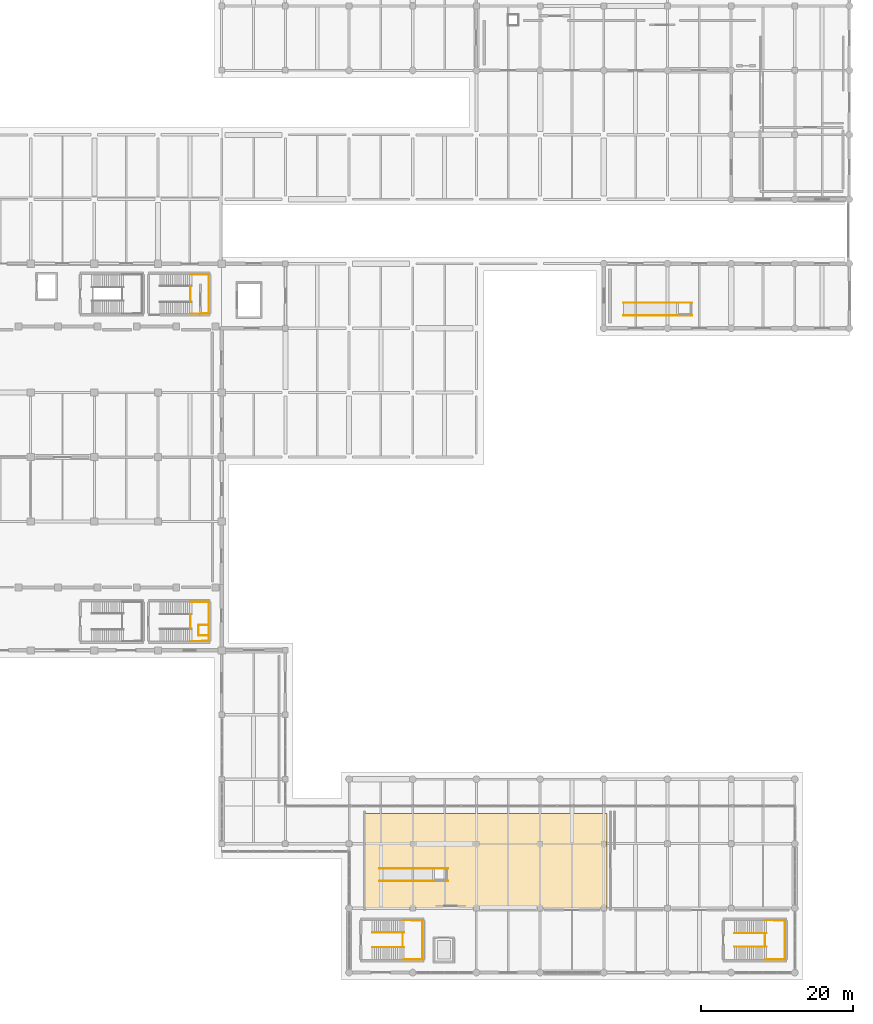
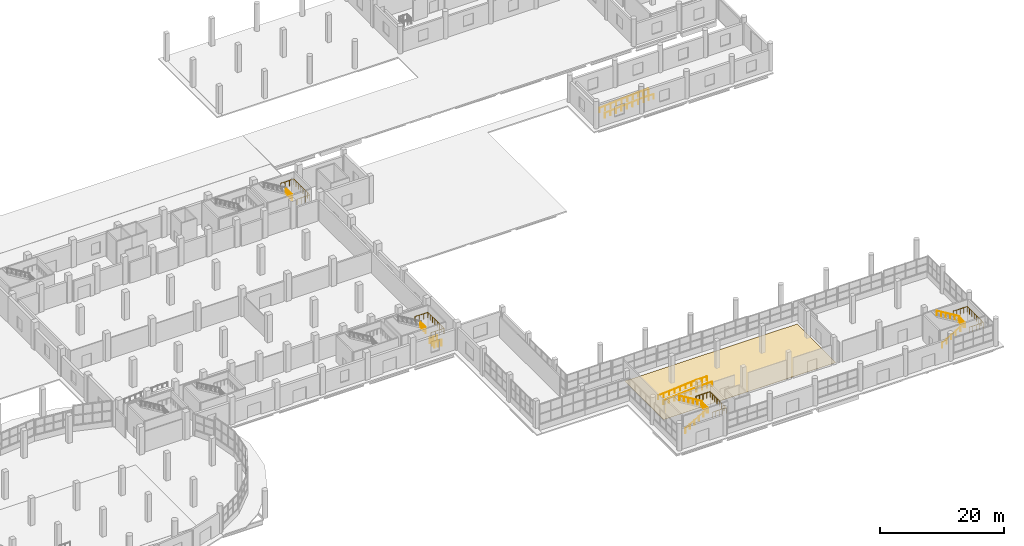
# One storey, part 103 of 107: 18 railings, 1 covering.
"""IFC4 building model written with IfcOpenShell, lengths in metres."""

from ifc_helpers import new_model, si_unit, direction, frame, origin, origin_2d, place, context, subcontext, project, spatial, polyline, circle, outline, extrude, material, layer, layer_set, type_object, element, save


model = new_model("IFC4")

# Units and contexts
model_context = context("Model", 3, precision=1e-05, world=origin(), true_north=direction((0.0, 1.0)))
body_context = subcontext(model_context, "Body", "Model", "MODEL_VIEW")
ifc_project = project(units=[si_unit("LENGTHUNIT", "METRE"), si_unit("AREAUNIT", "SQUARE_METRE"), si_unit("VOLUMEUNIT", "CUBIC_METRE"), si_unit("PLANEANGLEUNIT", "RADIAN"), si_unit("MASSUNIT", "GRAM", prefix="KILO")], contexts=[model_context])

# Site, building, storey
site_placement = place(None, origin())
site = spatial("IfcSite", under=ifc_project, at=site_placement, CompositionType="ELEMENT")
building_placement = place(site_placement, origin())
building = spatial("IfcBuilding", under=site, at=building_placement, Name="Solvento Point Concert Hall", CompositionType="ELEMENT")
storey_placement = place(building_placement, origin())
storey = spatial("IfcBuildingStorey", under=building, at=storey_placement, Name="L00", CompositionType="ELEMENT", Elevation=0.0)

# Railings
ifc_material_1 = material(Name="Brushed Stainless Steel Balustrade", Category="steel")
railing_type_1 = type_object("IfcRailingType", Name="StairHandrail_915", PredefinedType="HANDRAIL", material=ifc_material_1)
railing_1_placement = place(storey_placement, frame((153.050048828125, 3.330078125, 0.168701171875)))
element("IfcRailing", 1, at=railing_1_placement, inside=storey, type_object=railing_type_1, Name="Stair handrail HR-01 ST-08 L00 F1", PredefinedType="HANDRAIL", context=body_context, shape_type="SweptSolid", body=[
    extrude(circle(Radius=0.0224609375, at=origin_2d()), frame((0.0, 0.0, 0.892578125), z_axis=(0.856476492594, 0.0, 0.516186030065), x_axis=(0.0, 1.0, 0.0)), (0.0, 0.0, 1.0), 4.90380859375),
    extrude(circle(Radius=0.01904296875, at=origin_2d()), origin(), (0.0, 0.0, 1.0), 0.8701171875),
    extrude(circle(Radius=0.01904296875, at=origin_2d()), frame((0.840087890625, 0.0, 0.50634765625)), (0.0, 0.0, 1.0), 0.8701171875),
    extrude(circle(Radius=0.01904296875, at=origin_2d()), frame((1.679931640625, 0.0, 1.012451171875)), (0.0, 0.0, 1.0), 0.8701171875),
    extrude(circle(Radius=0.01904296875, at=origin_2d()), frame((2.52001953125, 0.0, 1.518798828125)), (0.0, 0.0, 1.0), 0.8701171875),
    extrude(circle(Radius=0.01904296875, at=origin_2d()), frame((3.35986328125, 0.0, 2.02490234375)), (0.0, 0.0, 1.0), 0.8701171875),
    extrude(circle(Radius=0.01904296875, at=origin_2d()), frame((4.199951171875, 0.0, 2.53125)), (0.0, 0.0, 1.0), 0.8701171875),
])
railing_2_placement = place(storey_placement, frame((157.25, 5.27001953125, 2.868896484375)))
element("IfcRailing", 2, at=railing_2_placement, inside=storey, type_object=railing_type_1, Name="Stair handrail HR-01 ST-08 L00 F2", PredefinedType="HANDRAIL", context=body_context, shape_type="SweptSolid", body=[
    extrude(circle(Radius=0.0224609375, at=origin_2d()), frame((0.0, 0.0, 0.892578125), z_axis=(-0.856498503035, 0.0, 0.5161495077), x_axis=(0.0, -1.0, 0.0)), (0.0, 0.0, 1.0), 4.903564453125),
    extrude(circle(Radius=0.01904296875, at=origin_2d()), origin(), (0.0, 0.0, 1.0), 0.8701171875),
    extrude(circle(Radius=0.01904296875, at=origin_2d()), frame((-0.840087890625, 0.0, 0.506103515625)), (0.0, 0.0, 1.0), 0.8701171875),
    extrude(circle(Radius=0.01904296875, at=origin_2d()), frame((-1.679931640625, 0.0, 1.012451171875)), (0.0, 0.0, 1.0), 0.8701171875),
    extrude(circle(Radius=0.01904296875, at=origin_2d()), frame((-2.52001953125, 0.0, 1.5185546875)), (0.0, 0.0, 1.0), 0.8701171875),
    extrude(circle(Radius=0.01904296875, at=origin_2d()), frame((-3.35986328125, 0.0, 2.02490234375)), (0.0, 0.0, 1.0), 0.8701171875),
    extrude(circle(Radius=0.01904296875, at=origin_2d()), frame((-4.199951171875, 0.0, 2.531005859375)), (0.0, 0.0, 1.0), 0.8701171875),
])
railing_3_placement = place(storey_placement, frame((200.85009765625, 3.409912109375, 0.168701171875)))
element("IfcRailing", 3, at=railing_3_placement, inside=storey, type_object=railing_type_1, Name="Stair handrail HR-01 ST-09 L00 F1", PredefinedType="HANDRAIL", context=body_context, shape_type="SweptSolid", body=[
    extrude(circle(Radius=0.0224609375, at=origin_2d()), frame((0.0, 0.0, 0.892578125), z_axis=(0.856476492594, 0.0, 0.516186030065), x_axis=(0.0, 1.0, 0.0)), (0.0, 0.0, 1.0), 4.90380859375),
    extrude(circle(Radius=0.01904296875, at=origin_2d()), origin(), (0.0, 0.0, 1.0), 0.8701171875),
    extrude(circle(Radius=0.01904296875, at=origin_2d()), frame((0.840087890625, 0.0, 0.50634765625)), (0.0, 0.0, 1.0), 0.8701171875),
    extrude(circle(Radius=0.01904296875, at=origin_2d()), frame((1.679931640625, 0.0, 1.012451171875)), (0.0, 0.0, 1.0), 0.8701171875),
    extrude(circle(Radius=0.01904296875, at=origin_2d()), frame((2.52001953125, 0.0, 1.518798828125)), (0.0, 0.0, 1.0), 0.8701171875),
    extrude(circle(Radius=0.01904296875, at=origin_2d()), frame((3.35986328125, 0.0, 2.02490234375)), (0.0, 0.0, 1.0), 0.8701171875),
    extrude(circle(Radius=0.01904296875, at=origin_2d()), frame((4.199951171875, 0.0, 2.53125)), (0.0, 0.0, 1.0), 0.8701171875),
])
railing_4_placement = place(storey_placement, frame((205.050048828125, 5.18994140625, 2.868896484375)))
element("IfcRailing", 4, at=railing_4_placement, inside=storey, type_object=railing_type_1, Name="Stair handrail HR-01 ST-09 L00 F2", PredefinedType="HANDRAIL", context=body_context, shape_type="SweptSolid", body=[
    extrude(circle(Radius=0.0224609375, at=origin_2d()), frame((0.0, 0.0, 0.892578125), z_axis=(-0.856498503035, 0.0, 0.5161495077), x_axis=(0.0, -1.0, 0.0)), (0.0, 0.0, 1.0), 4.903564453125),
    extrude(circle(Radius=0.01904296875, at=origin_2d()), origin(), (0.0, 0.0, 1.0), 0.8701171875),
    extrude(circle(Radius=0.01904296875, at=origin_2d()), frame((-0.840087890625, 0.0, 0.506103515625)), (0.0, 0.0, 1.0), 0.8701171875),
    extrude(circle(Radius=0.01904296875, at=origin_2d()), frame((-1.679931640625, 0.0, 1.012451171875)), (0.0, 0.0, 1.0), 0.8701171875),
    extrude(circle(Radius=0.01904296875, at=origin_2d()), frame((-2.52001953125, 0.0, 1.5185546875)), (0.0, 0.0, 1.0), 0.8701171875),
    extrude(circle(Radius=0.01904296875, at=origin_2d()), frame((-3.35986328125, 0.0, 2.02490234375)), (0.0, 0.0, 1.0), 0.8701171875),
    extrude(circle(Radius=0.01904296875, at=origin_2d()), frame((-4.199951171875, 0.0, 2.531005859375)), (0.0, 0.0, 1.0), 0.8701171875),
])
for number, where, name in (
    (5, (154.0, 12.06005859375, 0.0), "Accessible ramp handrail HR-01 RMP-H2"),
    (6, (154.0, 13.739990234375, 0.0), "Accessible ramp handrail HR-01 RMP-H2"),
    (7, (186.199951171875, 86.659912109375, 0.0), "Accessible ramp handrail HR-01 RMP-H4"),
    (8, (186.199951171875, 88.340087890625, 0.0), "Accessible ramp handrail HR-01 RMP-H4"),
):
    element("IfcRailing", number, at=place(storey_placement, frame(where)), inside=storey, type_object=railing_type_1, Name=name, PredefinedType="HANDRAIL", context=body_context, shape_type="SweptSolid", body=[
        extrude(circle(Radius=0.02099609375, at=origin_2d()), frame((0.0, 0.0, 0.89404296875), z_axis=(0.997094523106, 0.0, 0.076174221307), x_axis=(0.0, 1.0, 0.0)), (0.0, 0.0, 1.0), 7.220947265625),
        extrude(circle(Radius=0.02099609375, at=origin_2d()), frame((7.199951171875, 0.0, 1.444091796875), z_axis=(1.0, 0.0, 0.0), x_axis=(0.0, 1.0, 0.0)), (0.0, 0.0, 1.0), 1.85009765625),
        extrude(circle(Radius=0.01904296875, at=origin_2d()), origin(), (0.0, 0.0, 1.0), 0.873046875),
        extrude(circle(Radius=0.01904296875, at=origin_2d()), frame((1.028564453125, 0.0, 0.07861328125)), (0.0, 0.0, 1.0), 0.873046875),
        extrude(circle(Radius=0.01904296875, at=origin_2d()), frame((2.05712890625, 0.0, 0.1572265625)), (0.0, 0.0, 1.0), 0.873046875),
        extrude(circle(Radius=0.01904296875, at=origin_2d()), frame((3.085693359375, 0.0, 0.23583984375)), (0.0, 0.0, 1.0), 0.873046875),
        extrude(circle(Radius=0.01904296875, at=origin_2d()), frame((4.1142578125, 0.0, 0.314208984375)), (0.0, 0.0, 1.0), 0.873046875),
        extrude(circle(Radius=0.01904296875, at=origin_2d()), frame((5.142822265625, 0.0, 0.392822265625)), (0.0, 0.0, 1.0), 0.873046875),
        extrude(circle(Radius=0.01904296875, at=origin_2d()), frame((6.17138671875, 0.0, 0.471435546875)), (0.0, 0.0, 1.0), 0.873046875),
        extrude(circle(Radius=0.01904296875, at=origin_2d()), frame((7.199951171875, 0.0, 0.550048828125)), (0.0, 0.0, 1.0), 0.873046875),
        extrude(circle(Radius=0.01904296875, at=origin_2d()), frame((8.125, 0.0, 0.550048828125)), (0.0, 0.0, 1.0), 0.873046875),
        extrude(circle(Radius=0.01904296875, at=origin_2d()), frame((9.050048828125, 0.0, 0.550048828125)), (0.0, 0.0, 1.0), 0.873046875),
    ])
ifc_material_2 = material(Name="Brushed Stainless Steel Balustrade", Category="steel")
railing_type_2 = type_object("IfcRailingType", Name="StairWellGuard_1100", PredefinedType="BALUSTRADE", material=ifc_material_2)
railing_5_placement = place(storey_placement, frame((157.080078125, 1.699951171875, 2.699951171875)))
element("IfcRailing", 9, at=railing_5_placement, inside=storey, type_object=railing_type_2, Name="Half-landing perimeter guard GR-02 ST-08 L00", PredefinedType="BALUSTRADE", context=body_context, shape_type="SweptSolid", body=[
    extrude(circle(Radius=0.02392578125, at=origin_2d()), frame((0.0, 0.0, 1.09619140625), z_axis=(0.999970805684, 0.007641189644, 0.0), x_axis=(-0.007641189644, 0.999970805684, 0.0)), (0.0, 0.0, 1.0), 2.619873046875),
    extrude(circle(Radius=0.02392578125, at=origin_2d()), frame((2.619873046875, 0.02001953125, 1.09619140625), z_axis=(0.0, 1.0, 0.0), x_axis=(-1.0, 0.0, 0.0)), (0.0, 0.0, 1.0), 5.159912109375),
    extrude(circle(Radius=0.02392578125, at=origin_2d()), frame((2.619873046875, 5.179931640625, 1.09619140625), z_axis=(-0.999970805684, 0.007641189644, 0.0), x_axis=(-0.007641189644, -0.999970805684, 0.0)), (0.0, 0.0, 1.0), 2.619873046875),
    extrude(circle(Radius=0.02099609375, at=origin_2d()), origin(), (0.0, 0.0, 1.0), 1.072021484375),
    extrude(circle(Radius=0.02099609375, at=origin_2d()), frame((0.655029296875, 0.0048828125, 0.0)), (0.0, 0.0, 1.0), 1.072021484375),
    extrude(circle(Radius=0.02099609375, at=origin_2d()), frame((1.31005859375, 0.010009765625, 0.0)), (0.0, 0.0, 1.0), 1.072021484375),
    extrude(circle(Radius=0.02099609375, at=origin_2d()), frame((1.96484375, 0.01513671875, 0.0)), (0.0, 0.0, 1.0), 1.072021484375),
    extrude(circle(Radius=0.02099609375, at=origin_2d()), frame((2.619873046875, 0.02001953125, 0.0)), (0.0, 0.0, 1.0), 1.072021484375),
    extrude(circle(Radius=0.02099609375, at=origin_2d()), frame((2.619873046875, 0.757080078125, 0.0)), (0.0, 0.0, 1.0), 1.072021484375),
    extrude(circle(Radius=0.02099609375, at=origin_2d()), frame((2.619873046875, 1.494384765625, 0.0)), (0.0, 0.0, 1.0), 1.072021484375),
    extrude(circle(Radius=0.02099609375, at=origin_2d()), frame((2.619873046875, 2.2314453125, 0.0)), (0.0, 0.0, 1.0), 1.072021484375),
    extrude(circle(Radius=0.02099609375, at=origin_2d()), frame((2.619873046875, 2.968505859375, 0.0)), (0.0, 0.0, 1.0), 1.072021484375),
    extrude(circle(Radius=0.02099609375, at=origin_2d()), frame((2.619873046875, 3.70556640625, 0.0)), (0.0, 0.0, 1.0), 1.072021484375),
    extrude(circle(Radius=0.02099609375, at=origin_2d()), frame((2.619873046875, 4.44287109375, 0.0)), (0.0, 0.0, 1.0), 1.072021484375),
    extrude(circle(Radius=0.02099609375, at=origin_2d()), frame((2.619873046875, 5.179931640625, 0.0)), (0.0, 0.0, 1.0), 1.072021484375),
    extrude(circle(Radius=0.02099609375, at=origin_2d()), frame((1.96484375, 5.18505859375, 0.0)), (0.0, 0.0, 1.0), 1.072021484375),
    extrude(circle(Radius=0.02099609375, at=origin_2d()), frame((1.31005859375, 5.18994140625, 0.0)), (0.0, 0.0, 1.0), 1.072021484375),
    extrude(circle(Radius=0.02099609375, at=origin_2d()), frame((0.655029296875, 5.19482421875, 0.0)), (0.0, 0.0, 1.0), 1.072021484375),
    extrude(circle(Radius=0.02099609375, at=origin_2d()), frame((0.0, 5.199951171875, 0.0)), (0.0, 0.0, 1.0), 1.072021484375),
])
railing_6_placement = place(storey_placement, frame((157.080078125, 3.3798828125, 2.699951171875)))
element("IfcRailing", 10, at=railing_6_placement, inside=storey, type_object=railing_type_2, Name="Half-landing slot guard GR-02 ST-08 L00", PredefinedType="BALUSTRADE", context=body_context, shape_type="SweptSolid", body=[
    extrude(circle(Radius=0.02392578125, at=origin_2d()), frame((0.0, 0.0, 1.09619140625), z_axis=(0.0, 1.0, 0.0), x_axis=(-1.0, 0.0, 0.0)), (0.0, 0.0, 1.0), 1.840087890625),
    extrude(circle(Radius=0.02099609375, at=origin_2d()), origin(), (0.0, 0.0, 1.0), 1.072021484375),
    extrude(circle(Radius=0.02099609375, at=origin_2d()), frame((0.0, 0.61328125, 0.0)), (0.0, 0.0, 1.0), 1.072021484375),
    extrude(circle(Radius=0.02099609375, at=origin_2d()), frame((0.0, 1.226806640625, 0.0)), (0.0, 0.0, 1.0), 1.072021484375),
    extrude(circle(Radius=0.02099609375, at=origin_2d()), frame((0.0, 1.840087890625, 0.0)), (0.0, 0.0, 1.0), 1.072021484375),
])
railing_7_placement = place(storey_placement, frame((204.8798828125, 1.699951171875, 2.699951171875)))
element("IfcRailing", 11, at=railing_7_placement, inside=storey, type_object=railing_type_2, Name="Half-landing perimeter guard GR-02 ST-09 L00", PredefinedType="BALUSTRADE", context=body_context, shape_type="SweptSolid", body=[
    extrude(circle(Radius=0.02392578125, at=origin_2d()), frame((0.0, 0.0, 1.09619140625), z_axis=(0.999970811124, 0.007640477685, 0.0), x_axis=(-0.007640477685, 0.999970811124, 0.0)), (0.0, 0.0, 1.0), 2.6201171875),
    extrude(circle(Radius=0.02392578125, at=origin_2d()), frame((2.6201171875, 0.02001953125, 1.09619140625), z_axis=(0.0, 1.0, 0.0), x_axis=(-1.0, 0.0, 0.0)), (0.0, 0.0, 1.0), 5.159912109375),
    extrude(circle(Radius=0.02392578125, at=origin_2d()), frame((2.6201171875, 5.179931640625, 1.09619140625), z_axis=(-0.999970811124, 0.007640477685, 0.0), x_axis=(-0.007640477685, -0.999970811124, 0.0)), (0.0, 0.0, 1.0), 2.6201171875),
    extrude(circle(Radius=0.02099609375, at=origin_2d()), origin(), (0.0, 0.0, 1.0), 1.072021484375),
    extrude(circle(Radius=0.02099609375, at=origin_2d()), frame((0.655029296875, 0.0048828125, 0.0)), (0.0, 0.0, 1.0), 1.072021484375),
    extrude(circle(Radius=0.02099609375, at=origin_2d()), frame((1.31005859375, 0.010009765625, 0.0)), (0.0, 0.0, 1.0), 1.072021484375),
    extrude(circle(Radius=0.02099609375, at=origin_2d()), frame((1.965087890625, 0.01513671875, 0.0)), (0.0, 0.0, 1.0), 1.072021484375),
    extrude(circle(Radius=0.02099609375, at=origin_2d()), frame((2.6201171875, 0.02001953125, 0.0)), (0.0, 0.0, 1.0), 1.072021484375),
    extrude(circle(Radius=0.02099609375, at=origin_2d()), frame((2.6201171875, 0.757080078125, 0.0)), (0.0, 0.0, 1.0), 1.072021484375),
    extrude(circle(Radius=0.02099609375, at=origin_2d()), frame((2.6201171875, 1.494384765625, 0.0)), (0.0, 0.0, 1.0), 1.072021484375),
    extrude(circle(Radius=0.02099609375, at=origin_2d()), frame((2.6201171875, 2.2314453125, 0.0)), (0.0, 0.0, 1.0), 1.072021484375),
    extrude(circle(Radius=0.02099609375, at=origin_2d()), frame((2.6201171875, 2.968505859375, 0.0)), (0.0, 0.0, 1.0), 1.072021484375),
    extrude(circle(Radius=0.02099609375, at=origin_2d()), frame((2.6201171875, 3.70556640625, 0.0)), (0.0, 0.0, 1.0), 1.072021484375),
    extrude(circle(Radius=0.02099609375, at=origin_2d()), frame((2.6201171875, 4.44287109375, 0.0)), (0.0, 0.0, 1.0), 1.072021484375),
    extrude(circle(Radius=0.02099609375, at=origin_2d()), frame((2.6201171875, 5.179931640625, 0.0)), (0.0, 0.0, 1.0), 1.072021484375),
    extrude(circle(Radius=0.02099609375, at=origin_2d()), frame((1.965087890625, 5.18505859375, 0.0)), (0.0, 0.0, 1.0), 1.072021484375),
    extrude(circle(Radius=0.02099609375, at=origin_2d()), frame((1.31005859375, 5.18994140625, 0.0)), (0.0, 0.0, 1.0), 1.072021484375),
    extrude(circle(Radius=0.02099609375, at=origin_2d()), frame((0.655029296875, 5.19482421875, 0.0)), (0.0, 0.0, 1.0), 1.072021484375),
    extrude(circle(Radius=0.02099609375, at=origin_2d()), frame((0.0, 5.199951171875, 0.0)), (0.0, 0.0, 1.0), 1.072021484375),
])
railing_8_placement = place(storey_placement, frame((204.8798828125, 3.4599609375, 2.699951171875)))
element("IfcRailing", 12, at=railing_8_placement, inside=storey, type_object=railing_type_2, Name="Half-landing slot guard GR-02 ST-09 L00", PredefinedType="BALUSTRADE", context=body_context, shape_type="SweptSolid", body=[
    extrude(circle(Radius=0.02392578125, at=origin_2d()), frame((0.0, 0.0, 1.09619140625), z_axis=(0.0, 1.0, 0.0), x_axis=(-1.0, 0.0, 0.0)), (0.0, 0.0, 1.0), 1.679931640625),
    extrude(circle(Radius=0.02099609375, at=origin_2d()), origin(), (0.0, 0.0, 1.0), 1.072021484375),
    extrude(circle(Radius=0.02099609375, at=origin_2d()), frame((0.0, 0.56005859375, 0.0)), (0.0, 0.0, 1.0), 1.072021484375),
    extrude(circle(Radius=0.02099609375, at=origin_2d()), frame((0.0, 1.119873046875, 0.0)), (0.0, 0.0, 1.0), 1.072021484375),
    extrude(circle(Radius=0.02099609375, at=origin_2d()), frame((0.0, 1.679931640625, 0.0)), (0.0, 0.0, 1.0), 1.072021484375),
])
railing_9_placement = place(storey_placement, frame((129.080078125, 43.699951171875, 2.699951171875)))
element("IfcRailing", 13, at=railing_9_placement, inside=storey, type_object=railing_type_2, Name="Half-landing perimeter guard GR-02 VOM-02 L00", PredefinedType="BALUSTRADE", context=body_context, shape_type="SweptSolid", body=[
    extrude(circle(Radius=0.02392578125, at=origin_2d()), frame((0.0, 0.0, 1.09619140625), z_axis=(0.999965782141, 0.008272517568, 0.0), x_axis=(-0.008272517568, 0.999965782141, 0.0)), (0.0, 0.0, 1.0), 2.419921875),
    extrude(circle(Radius=0.02392578125, at=origin_2d()), frame((2.419921875, 0.02001953125, 1.09619140625), z_axis=(0.0, 1.0, 0.0), x_axis=(-1.0, 0.0, 0.0)), (0.0, 0.0, 1.0), 5.159912109375),
    extrude(circle(Radius=0.02392578125, at=origin_2d()), frame((2.419921875, 5.179931640625, 1.09619140625), z_axis=(-0.999965782141, 0.008272517568, 0.0), x_axis=(-0.008272517568, -0.999965782141, 0.0)), (0.0, 0.0, 1.0), 2.419921875),
    extrude(circle(Radius=0.02099609375, at=origin_2d()), origin(), (0.0, 0.0, 1.0), 1.072021484375),
    extrude(circle(Radius=0.02099609375, at=origin_2d()), frame((0.806640625, 0.006591796875, 0.0)), (0.0, 0.0, 1.0), 1.072021484375),
    extrude(circle(Radius=0.02099609375, at=origin_2d()), frame((1.61328125, 0.013427734375, 0.0)), (0.0, 0.0, 1.0), 1.072021484375),
    extrude(circle(Radius=0.02099609375, at=origin_2d()), frame((2.419921875, 0.02001953125, 0.0)), (0.0, 0.0, 1.0), 1.072021484375),
    extrude(circle(Radius=0.02099609375, at=origin_2d()), frame((2.419921875, 0.757080078125, 0.0)), (0.0, 0.0, 1.0), 1.072021484375),
    extrude(circle(Radius=0.02099609375, at=origin_2d()), frame((2.419921875, 1.494384765625, 0.0)), (0.0, 0.0, 1.0), 1.072021484375),
    extrude(circle(Radius=0.02099609375, at=origin_2d()), frame((2.419921875, 2.2314453125, 0.0)), (0.0, 0.0, 1.0), 1.072021484375),
    extrude(circle(Radius=0.02099609375, at=origin_2d()), frame((2.419921875, 2.968505859375, 0.0)), (0.0, 0.0, 1.0), 1.072021484375),
    extrude(circle(Radius=0.02099609375, at=origin_2d()), frame((2.419921875, 3.70556640625, 0.0)), (0.0, 0.0, 1.0), 1.072021484375),
    extrude(circle(Radius=0.02099609375, at=origin_2d()), frame((2.419921875, 4.44287109375, 0.0)), (0.0, 0.0, 1.0), 1.072021484375),
    extrude(circle(Radius=0.02099609375, at=origin_2d()), frame((2.419921875, 5.179931640625, 0.0)), (0.0, 0.0, 1.0), 1.072021484375),
    extrude(circle(Radius=0.02099609375, at=origin_2d()), frame((1.61328125, 5.1865234375, 0.0)), (0.0, 0.0, 1.0), 1.072021484375),
    extrude(circle(Radius=0.02099609375, at=origin_2d()), frame((0.806640625, 5.193359375, 0.0)), (0.0, 0.0, 1.0), 1.072021484375),
    extrude(circle(Radius=0.02099609375, at=origin_2d()), frame((0.0, 5.199951171875, 0.0)), (0.0, 0.0, 1.0), 1.072021484375),
])
railing_10_placement = place(storey_placement, frame((129.080078125, 45.3798828125, 2.699951171875)))
element("IfcRailing", 14, at=railing_10_placement, inside=storey, type_object=railing_type_2, Name="Half-landing slot guard GR-02 VOM-02 L00", PredefinedType="BALUSTRADE", context=body_context, shape_type="SweptSolid", body=[
    extrude(circle(Radius=0.02392578125, at=origin_2d()), frame((0.0, 0.0, 1.09619140625), z_axis=(0.0, 1.0, 0.0), x_axis=(-1.0, 0.0, 0.0)), (0.0, 0.0, 1.0), 1.840087890625),
    extrude(circle(Radius=0.02099609375, at=origin_2d()), origin(), (0.0, 0.0, 1.0), 1.072021484375),
    extrude(circle(Radius=0.02099609375, at=origin_2d()), frame((0.0, 0.61328125, 0.0)), (0.0, 0.0, 1.0), 1.072021484375),
    extrude(circle(Radius=0.02099609375, at=origin_2d()), frame((0.0, 1.226806640625, 0.0)), (0.0, 0.0, 1.0), 1.072021484375),
    extrude(circle(Radius=0.02099609375, at=origin_2d()), frame((0.0, 1.840087890625, 0.0)), (0.0, 0.0, 1.0), 1.072021484375),
])
railing_11_placement = place(storey_placement, frame((129.080078125, 86.89990234375, 2.699951171875)))
element("IfcRailing", 15, at=railing_11_placement, inside=storey, type_object=railing_type_2, Name="Half-landing perimeter guard GR-02 VOM-04 L00", PredefinedType="BALUSTRADE", context=body_context, shape_type="SweptSolid", body=[
    extrude(circle(Radius=0.02392578125, at=origin_2d()), frame((0.0, 0.0, 1.09619140625), z_axis=(0.999965782141, 0.008272517568, 0.0), x_axis=(-0.008272517568, 0.999965782141, 0.0)), (0.0, 0.0, 1.0), 2.419921875),
    extrude(circle(Radius=0.02392578125, at=origin_2d()), frame((2.419921875, 0.02001953125, 1.09619140625), z_axis=(0.0, 1.0, 0.0), x_axis=(-1.0, 0.0, 0.0)), (0.0, 0.0, 1.0), 5.16015625),
    extrude(circle(Radius=0.02392578125, at=origin_2d()), frame((2.419921875, 5.18017578125, 1.09619140625), z_axis=(-0.999965782141, 0.008272517568, 0.0), x_axis=(-0.008272517568, -0.999965782141, 0.0)), (0.0, 0.0, 1.0), 2.419921875),
    extrude(circle(Radius=0.02099609375, at=origin_2d()), origin(), (0.0, 0.0, 1.0), 1.072021484375),
    extrude(circle(Radius=0.02099609375, at=origin_2d()), frame((0.806640625, 0.006591796875, 0.0)), (0.0, 0.0, 1.0), 1.072021484375),
    extrude(circle(Radius=0.02099609375, at=origin_2d()), frame((1.61328125, 0.013427734375, 0.0)), (0.0, 0.0, 1.0), 1.072021484375),
    extrude(circle(Radius=0.02099609375, at=origin_2d()), frame((2.419921875, 0.02001953125, 0.0)), (0.0, 0.0, 1.0), 1.072021484375),
    extrude(circle(Radius=0.02099609375, at=origin_2d()), frame((2.419921875, 0.757080078125, 0.0)), (0.0, 0.0, 1.0), 1.072021484375),
    extrude(circle(Radius=0.02099609375, at=origin_2d()), frame((2.419921875, 1.494384765625, 0.0)), (0.0, 0.0, 1.0), 1.072021484375),
    extrude(circle(Radius=0.02099609375, at=origin_2d()), frame((2.419921875, 2.2314453125, 0.0)), (0.0, 0.0, 1.0), 1.072021484375),
    extrude(circle(Radius=0.02099609375, at=origin_2d()), frame((2.419921875, 2.96875, 0.0)), (0.0, 0.0, 1.0), 1.072021484375),
    extrude(circle(Radius=0.02099609375, at=origin_2d()), frame((2.419921875, 3.705810546875, 0.0)), (0.0, 0.0, 1.0), 1.072021484375),
    extrude(circle(Radius=0.02099609375, at=origin_2d()), frame((2.419921875, 4.443115234375, 0.0)), (0.0, 0.0, 1.0), 1.072021484375),
    extrude(circle(Radius=0.02099609375, at=origin_2d()), frame((2.419921875, 5.18017578125, 0.0)), (0.0, 0.0, 1.0), 1.072021484375),
    extrude(circle(Radius=0.02099609375, at=origin_2d()), frame((1.61328125, 5.186767578125, 0.0)), (0.0, 0.0, 1.0), 1.072021484375),
    extrude(circle(Radius=0.02099609375, at=origin_2d()), frame((0.806640625, 5.193603515625, 0.0)), (0.0, 0.0, 1.0), 1.072021484375),
    extrude(circle(Radius=0.02099609375, at=origin_2d()), frame((0.0, 5.2001953125, 0.0)), (0.0, 0.0, 1.0), 1.072021484375),
])
railing_12_placement = place(storey_placement, frame((129.080078125, 88.5, 2.699951171875)))
element("IfcRailing", 16, at=railing_12_placement, inside=storey, type_object=railing_type_2, Name="Half-landing slot guard GR-02 VOM-04 L00", PredefinedType="BALUSTRADE", context=body_context, shape_type="SweptSolid", body=[
    extrude(circle(Radius=0.02392578125, at=origin_2d()), frame((0.0, 0.0, 1.09619140625), z_axis=(0.0, 1.0, 0.0), x_axis=(-1.0, 0.0, 0.0)), (0.0, 0.0, 1.0), 2.0),
    extrude(circle(Radius=0.02099609375, at=origin_2d()), origin(), (0.0, 0.0, 1.0), 1.072021484375),
    extrude(circle(Radius=0.02099609375, at=origin_2d()), frame((0.0, 0.666748046875, 0.0)), (0.0, 0.0, 1.0), 1.072021484375),
    extrude(circle(Radius=0.02099609375, at=origin_2d()), frame((0.0, 1.333251953125, 0.0)), (0.0, 0.0, 1.0), 1.072021484375),
    extrude(circle(Radius=0.02099609375, at=origin_2d()), frame((0.0, 2.0, 0.0)), (0.0, 0.0, 1.0), 1.072021484375),
])
ifc_material_3 = material(Name="Brushed Stainless Steel Balustrade", Category="steel")
railing_type_3 = type_object("IfcRailingType", Name="TerraceBalustrade_1100", PredefinedType="BALUSTRADE", material=ifc_material_3)
railing_13_placement = place(storey_placement, frame((130.139892578125, 45.860107421875, 0.0)))
element("IfcRailing", 17, at=railing_13_placement, inside=storey, type_object=railing_type_3, Name="Guard balustrade GR-01 L00", PredefinedType="BALUSTRADE", context=body_context, shape_type="SweptSolid", body=[
    extrude(circle(Radius=0.02392578125, at=origin_2d()), frame((0.0, 0.0, 1.09619140625), z_axis=(0.0, -1.0, 0.0), x_axis=(1.0, 0.0, 0.0)), (0.0, 0.0, 1.0), 1.420166015625),
    extrude(circle(Radius=0.02392578125, at=origin_2d()), frame((0.0, -1.420166015625, 1.09619140625), z_axis=(1.0, 0.0, 0.0), x_axis=(0.0, 1.0, 0.0)), (0.0, 0.0, 1.0), 1.30517578125),
    extrude(circle(Radius=0.02099609375, at=origin_2d()), origin(), (0.0, 0.0, 1.0), 1.072021484375),
    extrude(circle(Radius=0.02099609375, at=origin_2d()), frame((0.0, -0.7099609375, 0.0)), (0.0, 0.0, 1.0), 1.072021484375),
    extrude(circle(Radius=0.02099609375, at=origin_2d()), frame((0.0, -1.420166015625, 0.0)), (0.0, 0.0, 1.0), 1.072021484375),
    extrude(circle(Radius=0.02099609375, at=origin_2d()), frame((0.652587890625, -1.420166015625, 0.0)), (0.0, 0.0, 1.0), 1.072021484375),
    extrude(circle(Radius=0.02099609375, at=origin_2d()), frame((1.30517578125, -1.420166015625, 0.0)), (0.0, 0.0, 1.0), 1.072021484375),
])
railing_14_placement = place(storey_placement, frame((131.445068359375, 45.860107421875, 0.0)))
element("IfcRailing", 18, at=railing_14_placement, inside=storey, type_object=railing_type_3, Name="Guard balustrade GR-01 L00", PredefinedType="BALUSTRADE", context=body_context, shape_type="SweptSolid", body=[
    extrude(circle(Radius=0.02392578125, at=origin_2d()), frame((0.0, 0.0, 1.09619140625), z_axis=(-1.0, 0.0, 0.0), x_axis=(0.0, -1.0, 0.0)), (0.0, 0.0, 1.0), 1.30517578125),
    extrude(circle(Radius=0.02099609375, at=origin_2d()), origin(), (0.0, 0.0, 1.0), 1.072021484375),
    extrude(circle(Radius=0.02099609375, at=origin_2d()), frame((-0.652587890625, 0.0, 0.0)), (0.0, 0.0, 1.0), 1.072021484375),
    extrude(circle(Radius=0.02099609375, at=origin_2d()), frame((-1.30517578125, 0.0, 0.0)), (0.0, 0.0, 1.0), 1.072021484375),
])

# Covering
ifc_material_4 = material(Name="Coral-Sand Terrazzo Flooring")
ifc_layer = layer(ifc_material_4, 0.02490234375)
ifc_layer_set = layer_set([ifc_layer], Name="Coral-Sand Terrazzo Flooring")
covering_type = type_object("IfcCoveringType", Name="TerrazzoFlooring_25", PredefinedType="FLOORING", material=ifc_layer_set)
covering_placement = place(storey_placement, origin())
element("IfcCovering", 19, at=covering_placement, inside=storey, type_object=covering_type, Name="Coral-sand terrazzo floor finish FLR-L00-CAF", PredefinedType="FLOORING", context=body_context, shape_type="SweptSolid", body=[
    extrude(outline(polyline([(152.0, 8.5), (184.0, 8.5), (184.0, 21.0), (152.0, 21.0), (152.0, 8.5)])), origin(), (0.0, 0.0, 1.0), 0.02490234375),
])

save(model, "model.ifc")
